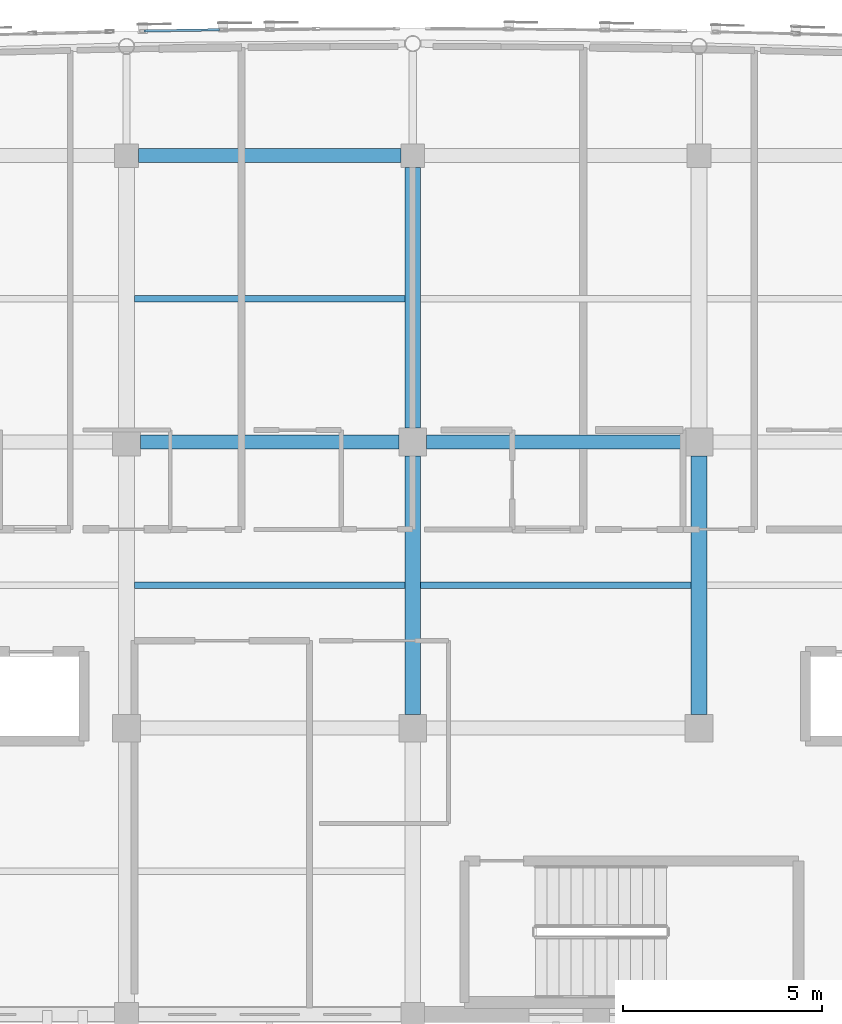
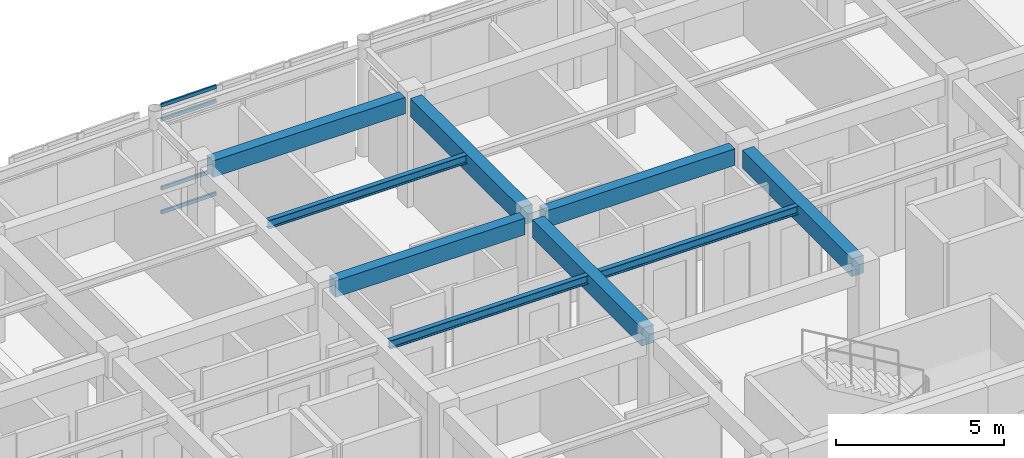
# One storey, part 46 of 113: 9 beams, 4 members, 1 element without a shape of its own.
"""IFC4 building model written with IfcOpenShell, lengths in metres."""

import ifcopenshell
import ifcopenshell.guid

model = None  # the IFC model being written
_history = None  # IfcOwnerHistory: only IFC2X3 demands one
_inside = {}  # id of a spatial element -> (the spatial element, [elements in it])
_under = {}  # id of a project, library or spatial element -> (it, [spatial elements below it])
_declared = {}  # id of a project -> (the project, [libraries it declares])
_typed = {}  # id of a type object -> (the type object, [elements of that type])
_made_of = {}  # id of a material, layer set ... -> (it, [elements and type objects made of it])


def new_model(schema):
    """Start an empty IFC model of exactly this schema.

    Asked for "IFC4X3", IfcOpenShell would pick the latest addendum, in which some entities
    have other attributes; the version numbers below select the first issue.
    IFC2X3 requires an IfcOwnerHistory on every rooted entity: one is made here for all.
    """
    global model, _history
    if schema == "IFC4X3":
        model = ifcopenshell.file(schema_version=(4, 3, 0, 0))
    else:
        model = ifcopenshell.file(schema=schema)
    _inside.clear()
    _under.clear()
    _declared.clear()
    _typed.clear()
    _made_of.clear()
    _history = None
    if model.schema == "IFC2X3":
        org = make("IfcOrganization", Name="unknown")
        user = make(
            "IfcPersonAndOrganization",
            ThePerson=make("IfcPerson", FamilyName="unknown"),
            TheOrganization=org,
        )
        app = make(
            "IfcApplication",
            ApplicationDeveloper=org,
            Version="unknown",
            ApplicationFullName="unknown",
            ApplicationIdentifier="unknown",
        )
        _history = make(
            "IfcOwnerHistory",
            OwningUser=user,
            OwningApplication=app,
            ChangeAction="ADDED",
            CreationDate=0,
        )
    return model


def make(cls, **values):
    """One entity of the class cls with the attributes given. An attribute that is None is left unset."""
    return model.create_entity(
        cls, **{name: value for name, value in values.items() if value is not None}
    )


def rooted(cls, **values):
    """An entity with a GlobalId (a new one), such as an element, a storey or a relation."""
    return make(cls, GlobalId=ifcopenshell.guid.new(), OwnerHistory=_history, **values)


def si_unit(unit_type, name, prefix=None):
    """IfcSIUnit, for example si_unit("LENGTHUNIT", "METRE", prefix="MILLI")."""
    return make("IfcSIUnit", UnitType=unit_type, Prefix=prefix, Name=name)


def assignment(units):
    """IfcUnitAssignment: the units of a project."""
    return None if units is None else make("IfcUnitAssignment", Units=units)


def point(xyz):
    """IfcCartesianPoint."""
    return None if xyz is None else make("IfcCartesianPoint", Coordinates=xyz)


def direction(xyz):
    """IfcDirection."""
    return None if xyz is None else make("IfcDirection", DirectionRatios=xyz)


def frame(location, z_axis=None, x_axis=None):
    """IfcAxis2Placement3D, a coordinate frame: its origin and axes. An axis left out is left unset."""
    return make(
        "IfcAxis2Placement3D",
        Location=point(location),
        Axis=direction(z_axis),
        RefDirection=direction(x_axis),
    )


def frame_2d(location, x_axis=None):
    """IfcAxis2Placement2D, a coordinate frame in the plane: its origin and x axis."""
    return make(
        "IfcAxis2Placement2D", Location=point(location), RefDirection=direction(x_axis)
    )


def origin():
    """The frame at (0, 0, 0) with its axes left unset."""
    return frame((0.0, 0.0, 0.0))


def origin_2d():
    """The frame at (0, 0) in the plane with its x axis left unset."""
    return frame_2d((0.0, 0.0))


def place(relative_to, where):
    """IfcLocalPlacement: puts the frame where relative to a parent placement (None: the world)."""
    return make(
        "IfcLocalPlacement", PlacementRelTo=relative_to, RelativePlacement=where
    )


def context(
    kind, dimensions, precision=None, world=None, true_north=None, identifier=None
):
    """IfcGeometricRepresentationContext, for example the 3D "Model" context."""
    return make(
        "IfcGeometricRepresentationContext",
        ContextIdentifier=identifier,
        ContextType=kind,
        CoordinateSpaceDimension=dimensions,
        Precision=precision,
        WorldCoordinateSystem=world,
        TrueNorth=true_north,
    )


def subcontext(parent, identifier, kind, view, scale=None):
    """IfcGeometricRepresentationSubContext, for example "Body" below "Model"."""
    return make(
        "IfcGeometricRepresentationSubContext",
        ContextIdentifier=identifier,
        ContextType=kind,
        ParentContext=parent,
        TargetScale=scale,
        TargetView=view,
    )


def project(units=None, contexts=None):
    """IfcProject with its units and contexts."""
    return rooted(
        "IfcProject",
        Name="project",
        RepresentationContexts=contexts,
        UnitsInContext=assignment(units),
    )


def spatial(cls, under=None, at=None, **own):
    """A site, building, storey or space (cls), placed at a placement, below another one or the project."""
    s = rooted(cls, ObjectPlacement=at, **own)
    if under is not None:
        _under.setdefault(under.id(), (under, []))[1].append(s)
    return s


def profile(cls, at=None, kind="AREA", **sizes):
    """A parametric profile (cls). Its sizes go by their IFC names, for example OverallWidth=200.0."""
    return make(cls, ProfileType=kind, Position=at, **sizes)


def rectangle(**sizes):
    """IfcRectangleProfileDef."""
    return profile("IfcRectangleProfileDef", **sizes)


def hollow_rectangle(**sizes):
    """IfcRectangleHollowProfileDef."""
    return profile("IfcRectangleHollowProfileDef", **sizes)


def i_section(**sizes):
    """IfcIShapeProfileDef."""
    return profile("IfcIShapeProfileDef", **sizes)


def extrude(swept, where, along, depth):
    """IfcExtrudedAreaSolid: the profile swept, set in the frame where, extruded along a direction by depth."""
    return make(
        "IfcExtrudedAreaSolid",
        SweptArea=swept,
        Position=where,
        ExtrudedDirection=direction(along),
        Depth=depth,
    )


def shape(context_of_items, identifier, shape_type, items):
    """IfcShapeRepresentation: the items that make up one representation, for example the "Body"."""
    return make(
        "IfcShapeRepresentation",
        ContextOfItems=context_of_items,
        RepresentationIdentifier=identifier,
        RepresentationType=shape_type,
        Items=items,
    )


def material(Name=None, Category=None):
    """IfcMaterial."""
    return make("IfcMaterial", Name=Name, Category=Category)


def layer(
    of_material, thickness, ventilated=None, Name=None, Category=None, Priority=None
):
    """IfcMaterialLayer: one layer of a wall or slab, of a material (None: an air gap)."""
    return make(
        "IfcMaterialLayer",
        Material=of_material,
        LayerThickness=thickness,
        IsVentilated=ventilated,
        Name=Name,
        Category=Category,
        Priority=Priority,
    )


def layer_set(layers, Name=None):
    """IfcMaterialLayerSet."""
    return make("IfcMaterialLayerSet", MaterialLayers=layers, LayerSetName=Name)


def material_profile(
    of_material, cross_section, Name=None, Category=None, Priority=None
):
    """IfcMaterialProfile: a cross section and its material."""
    return make(
        "IfcMaterialProfile",
        Name=Name,
        Material=of_material,
        Profile=cross_section,
        Priority=Priority,
        Category=Category,
    )


def profile_set(profiles, Name=None, composite=None):
    """IfcMaterialProfileSet."""
    return make(
        "IfcMaterialProfileSet",
        Name=Name,
        MaterialProfiles=profiles,
        CompositeProfile=composite,
    )


def made_of(thing, what):
    """Note that an element or type object is made of a material, layer set ...; save() writes the relation."""
    if what is not None:
        _made_of.setdefault(what.id(), (what, []))[1].append(thing)
    return thing


def type_object(cls, material=None, **own):
    """A type object (cls), such as IfcWallType, which elements share."""
    return made_of(rooted(cls, **own), material)


def element(
    cls,
    number,
    at=None,
    inside=None,
    cuts=None,
    type_object=None,
    material=None,
    context=None,
    identifier="Body",
    shape_type=None,
    held_by="IfcProductDefinitionShape",
    body=None,
    shapes=None,
    **own,
):
    """One element of the class cls, such as IfcWall. Its Tag is "e" and its number.

    at: its placement. inside: the storey or other place that contains it. cuts: it is an
    opening in that element (IfcRelVoidsElement). A single representation is given by context,
    identifier, shape_type and body (its items); several are given by shapes. held_by: the class
    of the entity that holds the representations. save() writes the other relations.
    """
    e = rooted(cls, Tag="e%d" % number, ObjectPlacement=at, **own)
    if body is not None:
        shapes = [shape(context, identifier, shape_type, body)]
    if shapes is not None:
        e.Representation = make(held_by, Representations=shapes)
    if inside is not None:
        _inside.setdefault(inside.id(), (inside, []))[1].append(e)
    if cuts is not None:
        rooted(
            "IfcRelVoidsElement", RelatingBuildingElement=cuts, RelatedOpeningElement=e
        )
    if type_object is not None:
        _typed.setdefault(type_object.id(), (type_object, []))[1].append(e)
    return made_of(e, material)


def aggregate(whole, parts):
    """IfcRelAggregates: a whole, such as a stair, and the parts it consists of."""
    return rooted("IfcRelAggregates", RelatingObject=whole, RelatedObjects=parts)


def save(model, path):
    """Write the relations noted so far, then the file.

    IfcRelAggregates (storeys below a building ...), IfcRelContainedInSpatialStructure (elements
    in a storey), IfcRelDefinesByType, IfcRelAssociatesMaterial and IfcRelDeclares: one each for
    every whole, place, type object, material and project.
    """
    for whole, parts in _under.values():
        aggregate(whole, parts)
    for where, things in _inside.values():
        rooted(
            "IfcRelContainedInSpatialStructure",
            RelatedElements=things,
            RelatingStructure=where,
        )
    for kind, things in _typed.values():
        rooted("IfcRelDefinesByType", RelatedObjects=things, RelatingType=kind)
    for what, things in _made_of.values():
        rooted("IfcRelAssociatesMaterial", RelatedObjects=things, RelatingMaterial=what)
    for by, libraries in _declared.values():
        rooted("IfcRelDeclares", RelatingContext=by, RelatedDefinitions=libraries)
    model.write(path)


model = new_model("IFC4")

# Units and contexts
model_context = context("Model", 3, precision=1e-05, world=origin(), true_north=direction((0.0, 1.0)))
body_context = subcontext(model_context, "Body", "Model", "MODEL_VIEW")
ifc_project = project(units=[si_unit("LENGTHUNIT", "METRE"), si_unit("AREAUNIT", "SQUARE_METRE"), si_unit("VOLUMEUNIT", "CUBIC_METRE"), si_unit("PLANEANGLEUNIT", "RADIAN"), si_unit("MASSUNIT", "GRAM", prefix="KILO")], contexts=[model_context])

# Site, building, storey
site_placement = place(None, origin())
site = spatial("IfcSite", under=ifc_project, at=site_placement, CompositionType="ELEMENT")
building_placement = place(site_placement, origin())
building = spatial("IfcBuilding", under=site, at=building_placement, Name="Carrowvane Square Congress Hotel", CompositionType="ELEMENT")
storey_placement = place(building_placement, frame((0.0, 0.0, 15.0)))
storey = spatial("IfcBuildingStorey", under=building, at=storey_placement, Name="L03", CompositionType="ELEMENT", Elevation=15.0)

# Beams
ifc_material_1 = material(Name="Concrete C35/45", Category="concrete")
ifc_material_profile_1 = material_profile(ifc_material_1, rectangle(XDim=0.35009765625, YDim=0.60009765625, at=origin_2d()), Name="RC 350x600")
ifc_profile_set_1 = profile_set([ifc_material_profile_1], Name="Concrete C35/45")
beam_type_1 = type_object("IfcBeamType", Name="BM-RC-350x600", PredefinedType="BEAM", material=ifc_profile_set_1)
for number, where, z_axis, x_axis, name in (
    (1, (91.14990234375, 106.199951171875, 3.639892578125), (1.0, 0.0, 0.0), (0.0, 1.0, 0.0), "L04 girder Q/12-13"),
    (2, (98.35009765625, 106.199951171875, 3.639892578125), (1.0, 0.0, 0.0), (0.0, 1.0, 0.0), "L04 girder Q/13-14"),
):
    element("IfcBeam", number, at=place(storey_placement, frame(where, z_axis=z_axis, x_axis=x_axis)), inside=storey, type_object=beam_type_1, Name=name, PredefinedType="BEAM", context=body_context, shape_type="SweptSolid", body=[
        extrude(rectangle(XDim=0.35009765625, YDim=0.60009765625, at=origin_2d()), origin(), (0.0, 0.0, 1.0), 6.5),
    ])
beam_1_placement = place(storey_placement, frame((91.10009765625, 113.39990234375, 3.639892578125), z_axis=(1.0, 0.0, 0.0), x_axis=(0.0, 1.0, 0.0)))
element("IfcBeam", 3, at=beam_1_placement, inside=storey, type_object=beam_type_1, Name="L04 girder R/12-13", PredefinedType="BEAM", context=body_context, shape_type="SweptSolid", body=[
    extrude(rectangle(XDim=0.35009765625, YDim=0.60009765625, at=origin_2d()), origin(), (0.0, 0.0, 1.0), 6.599853515625),
])
ifc_material_2 = material(Name="Concrete C35/45", Category="concrete")
ifc_material_profile_2 = material_profile(ifc_material_2, rectangle(XDim=0.39990234375, YDim=0.64990234375, at=origin_2d()), Name="RC 400x650")
ifc_profile_set_2 = profile_set([ifc_material_profile_2], Name="Concrete C35/45")
beam_type_2 = type_object("IfcBeamType", Name="BM-RC-400x650", PredefinedType="BEAM", material=ifc_profile_set_2)
beam_2_placement = place(storey_placement, frame((98.0, 99.35009765625, 3.614990234375), z_axis=(0.0, 1.0, 0.0), x_axis=(-1.0, 0.0, 0.0)))
element("IfcBeam", 4, at=beam_2_placement, inside=storey, type_object=beam_type_2, Name="L04 girder 13/P-Q", PredefinedType="BEAM", context=body_context, shape_type="SweptSolid", body=[
    extrude(rectangle(XDim=0.39990234375, YDim=0.64990234375, at=origin_2d()), origin(), (0.0, 0.0, 1.0), 6.5),
])
beam_3_placement = place(storey_placement, frame((98.0, 106.550048828125, 3.614990234375), z_axis=(0.0, 1.0, 0.0), x_axis=(-1.0, 0.0, 0.0)))
element("IfcBeam", 5, at=beam_3_placement, inside=storey, type_object=beam_type_2, Name="L04 girder 13/Q-R", PredefinedType="BEAM", context=body_context, shape_type="SweptSolid", body=[
    extrude(rectangle(XDim=0.39990234375, YDim=0.64990234375, at=origin_2d()), origin(), (0.0, 0.0, 1.0), 6.550048828125),
])
beam_4_placement = place(storey_placement, frame((105.199951171875, 99.35009765625, 3.614990234375), z_axis=(0.0, 1.0, 0.0), x_axis=(-1.0, 0.0, 0.0)))
element("IfcBeam", 6, at=beam_4_placement, inside=storey, type_object=beam_type_2, Name="L04 girder 14/P-Q", PredefinedType="BEAM", context=body_context, shape_type="SweptSolid", body=[
    extrude(rectangle(XDim=0.39990234375, YDim=0.64990234375, at=origin_2d()), origin(), (0.0, 0.0, 1.0), 6.5),
])
ifc_material_3 = material(Name="Steel S355", Category="steel")
ifc_material_profile_3 = material_profile(ifc_material_3, i_section(OverallWidth=0.165771484375, OverallDepth=0.306640625, WebThickness=0.006591796875, FlangeThickness=0.01171875, FilletRadius=0.0087890625, at=origin_2d()), Name="UKB 305x165x46")
ifc_profile_set_3 = profile_set([ifc_material_profile_3], Name="Steel S355")
beam_type_3 = type_object("IfcBeamType", Name="BM-ST-UKB305", PredefinedType="JOIST", material=ifc_profile_set_3)
for number, where, z_axis, x_axis, name in (
    (7, (91.0, 102.60009765625, 3.78662109375), (1.0, 0.0, 0.0), (0.0, 1.0, 0.0), "L04 secondary joist 12-13"),
    (8, (91.0, 109.800048828125, 3.78662109375), (1.0, 0.0, 0.0), (0.0, 1.0, 0.0), "L04 secondary joist 12-13"),
    (9, (98.199951171875, 102.60009765625, 3.78662109375), (1.0, 0.0, 0.0), (0.0, 1.0, 0.0), "L04 secondary joist 13-14"),
):
    element("IfcBeam", number, at=place(storey_placement, frame(where, z_axis=z_axis, x_axis=x_axis)), inside=storey, type_object=beam_type_3, Name=name, PredefinedType="JOIST", context=body_context, shape_type="SweptSolid", body=[
        extrude(i_section(OverallWidth=0.165771484375, OverallDepth=0.306640625, WebThickness=0.006591796875, FlangeThickness=0.01171875, FilletRadius=0.0087890625, at=origin_2d()), origin(), (0.0, 0.0, 1.0), 6.800048828125),
    ])

# Curtain wall, members
ifc_material_4 = material(Name="Anodised aluminium", Category="aluminium")
ifc_layer = layer(ifc_material_4, 0.23388671875)
ifc_layer_set = layer_set([ifc_layer], Name="Anodised aluminium")
curtain_wall_type = type_object("IfcCurtainWallType", Name="CW-SYS-7", PredefinedType="NOTDEFINED", material=ifc_layer_set)
curtain_wall_placement = place(storey_placement, origin())
curtain_wall = element("IfcCurtainWall", 10, at=curtain_wall_placement, inside=storey, type_object=curtain_wall_type, Name="L03 unitised curtain wall 214", PredefinedType="NOTDEFINED")
ifc_material_5 = material(Name="Anodised aluminium", Category="aluminium")
ifc_material_profile_4 = material_profile(ifc_material_5, hollow_rectangle(XDim=0.06005859375, YDim=0.1298828125, WallThickness=0.00390625, at=origin_2d()), Name="CW-TR 60x130x4")
ifc_profile_set_4 = profile_set([ifc_material_profile_4], Name="Anodised aluminium")
member_type = type_object("IfcMemberType", Name="CW-TRN-1", PredefinedType="USERDEFINED", material=ifc_profile_set_4)
member_1_placement = place(storey_placement, frame((91.237548828125, 116.536865234375, 0.030029296875), z_axis=(0.999869284212, 0.016168317481, 0.0), x_axis=(-0.016168317481, 0.999869284212, 0.0)))
member_1 = element("IfcMember", 11, at=member_1_placement, type_object=member_type, Name="CW-7 transom 1.1", ObjectType="TRANSOM", PredefinedType="USERDEFINED", context=body_context, shape_type="SweptSolid", body=[
    extrude(hollow_rectangle(XDim=0.06005859375, YDim=0.1298828125, WallThickness=0.00390625, at=origin_2d()), origin(), (0.0, 0.0, 1.0), 1.902587890625),
])
member_2_placement = place(storey_placement, frame((91.237548828125, 116.536865234375, 0.89990234375), z_axis=(0.999869284212, 0.016168317481, 0.0), x_axis=(-0.016168317481, 0.999869284212, 0.0)))
member_2 = element("IfcMember", 12, at=member_2_placement, type_object=member_type, Name="CW-7 transom 1.2", ObjectType="TRANSOM", PredefinedType="USERDEFINED", context=body_context, shape_type="SweptSolid", body=[
    extrude(hollow_rectangle(XDim=0.06005859375, YDim=0.1298828125, WallThickness=0.00390625, at=origin_2d()), origin(), (0.0, 0.0, 1.0), 1.902587890625),
])
member_3_placement = place(storey_placement, frame((91.237548828125, 116.536865234375, 3.389892578125), z_axis=(0.999869284212, 0.016168317481, 0.0), x_axis=(-0.016168317481, 0.999869284212, 0.0)))
member_3 = element("IfcMember", 13, at=member_3_placement, type_object=member_type, Name="CW-7 transom 1.3", ObjectType="TRANSOM", PredefinedType="USERDEFINED", context=body_context, shape_type="SweptSolid", body=[
    extrude(hollow_rectangle(XDim=0.06005859375, YDim=0.1298828125, WallThickness=0.00390625, at=origin_2d()), origin(), (0.0, 0.0, 1.0), 1.902587890625),
])
member_4_placement = place(storey_placement, frame((91.237548828125, 116.536865234375, 3.909912109375), z_axis=(0.999869284212, 0.016168317481, 0.0), x_axis=(-0.016168317481, 0.999869284212, 0.0)))
member_4 = element("IfcMember", 14, at=member_4_placement, type_object=member_type, Name="CW-7 transom 1.4", ObjectType="TRANSOM", PredefinedType="USERDEFINED", context=body_context, shape_type="SweptSolid", body=[
    extrude(hollow_rectangle(XDim=0.06005859375, YDim=0.1298828125, WallThickness=0.00390625, at=origin_2d()), origin(), (0.0, 0.0, 1.0), 1.902587890625),
])
aggregate(curtain_wall, [member_1, member_2, member_3, member_4])

save(model, "model.ifc")
